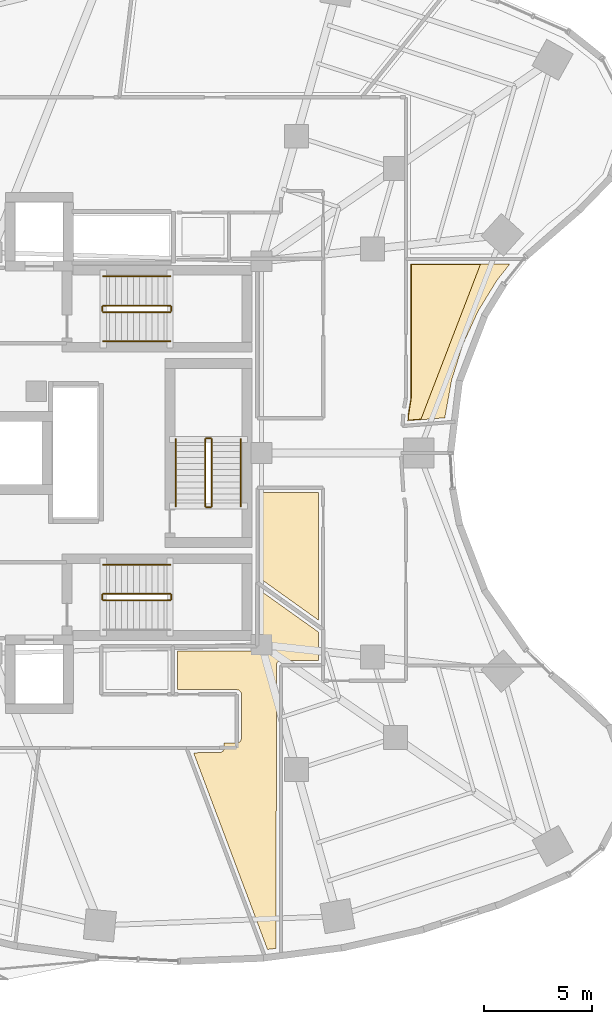
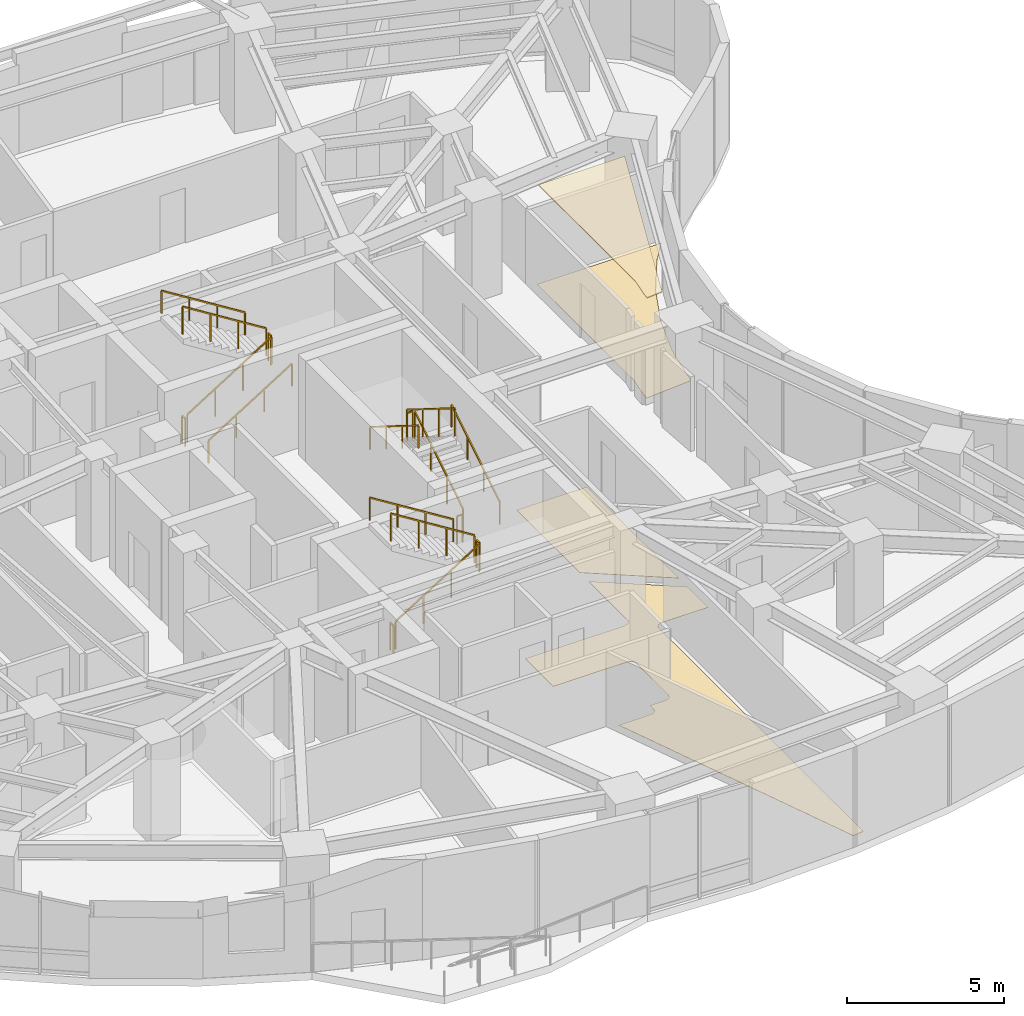
# One storey, part 15 of 16: 17 railings, 4 coverings.
"""IFC4 building model written with IfcOpenShell, lengths in metres."""

from ifc_helpers import new_model, si_unit, direction, frame, origin, origin_2d, place, context, subcontext, project, spatial, polyline, rectangle, outline, extrude, material, layer, layer_set, type_object, element, save


model = new_model("IFC4")

# Units and contexts
model_context = context("Model", 3, precision=1e-05, world=origin(), true_north=direction((0.0, 1.0)))
body_context = subcontext(model_context, "Body", "Model", "MODEL_VIEW")
ifc_project = project(units=[si_unit("LENGTHUNIT", "METRE"), si_unit("AREAUNIT", "SQUARE_METRE"), si_unit("VOLUMEUNIT", "CUBIC_METRE"), si_unit("PLANEANGLEUNIT", "RADIAN"), si_unit("MASSUNIT", "GRAM", prefix="KILO")], contexts=[model_context])

# Site, building, storey
site_placement = place(None, origin())
site = spatial("IfcSite", under=ifc_project, at=site_placement, CompositionType="ELEMENT")
building_placement = place(site_placement, origin())
building = spatial("IfcBuilding", under=site, at=building_placement, Name="Korentha Bioscience Tower", CompositionType="ELEMENT")
storey_placement = place(building_placement, frame((0.0, 0.0, 59.39990234375)))
storey = spatial("IfcBuildingStorey", under=building, at=storey_placement, Name="L13", CompositionType="ELEMENT", Elevation=59.39990234375)

# Railings
ifc_material_1 = material(Name="Stainless Steel 304", Category="steel")
railing_type_1 = type_object("IfcRailingType", Name="Brushed Stainless Stair Handrail 900", PredefinedType="HANDRAIL", material=ifc_material_1)
railing_1_placement = place(storey_placement, frame((30.25, 32.14990234375, 0.175048828125)))
element("IfcRailing", 1, at=railing_1_placement, inside=storey, type_object=railing_type_1, Name="L13 ST-1 stair handrail 1", PredefinedType="HANDRAIL", context=body_context, shape_type="SweptSolid", body=[
    extrude(rectangle(XDim=0.048095703125, YDim=0.048095703125, at=origin_2d()), frame((0.0, 0.0, 0.8759765625), z_axis=(0.847998304005, 0.0, 0.529998940003), x_axis=(0.0, 1.0, 0.0)), (0.0, 0.0, 1.0), 3.632080078125),
    extrude(rectangle(XDim=0.0419921875, YDim=0.0419921875, at=origin_2d()), origin(), (0.0, 0.0, 1.0), 0.851806640625),
    extrude(rectangle(XDim=0.0419921875, YDim=0.0419921875, at=origin_2d()), frame((1.026611328125, 0.0, 0.6416015625)), (0.0, 0.0, 1.0), 0.851806640625),
    extrude(rectangle(XDim=0.0419921875, YDim=0.0419921875, at=origin_2d()), frame((2.053466796875, 0.0, 1.283447265625)), (0.0, 0.0, 1.0), 0.851806640625),
    extrude(rectangle(XDim=0.0419921875, YDim=0.0419921875, at=origin_2d()), frame((3.080078125, 0.0, 1.925048828125)), (0.0, 0.0, 1.0), 0.851806640625),
])
for number, where, name in (
    (2, (33.330078125, 35.14990234375, 2.275146484375), "L13 ST-1 stair handrail 2"),
    (3, (33.330078125, 21.85009765625, 2.275146484375), "L13 ST-2 stair handrail 2"),
):
    element("IfcRailing", number, at=place(storey_placement, frame(where)), inside=storey, type_object=railing_type_1, Name=name, PredefinedType="HANDRAIL", context=body_context, shape_type="SweptSolid", body=[
        extrude(rectangle(XDim=0.048095703125, YDim=0.048095703125, at=origin_2d()), frame((0.0, 0.0, 0.8759765625), z_axis=(-0.847998304005, 0.0, 0.529998940003), x_axis=(0.0, -1.0, 0.0)), (0.0, 0.0, 1.0), 3.632080078125),
        extrude(rectangle(XDim=0.0419921875, YDim=0.0419921875, at=origin_2d()), origin(), (0.0, 0.0, 1.0), 0.851806640625),
        extrude(rectangle(XDim=0.0419921875, YDim=0.0419921875, at=origin_2d()), frame((-1.026611328125, 0.0, 0.6416015625)), (0.0, 0.0, 1.0), 0.851806640625),
        extrude(rectangle(XDim=0.0419921875, YDim=0.0419921875, at=origin_2d()), frame((-2.053466796875, 0.0, 1.283447265625)), (0.0, 0.0, 1.0), 0.851806640625),
        extrude(rectangle(XDim=0.0419921875, YDim=0.0419921875, at=origin_2d()), frame((-3.080078125, 0.0, 1.925048828125)), (0.0, 0.0, 1.0), 0.851806640625),
    ])
railing_2_placement = place(storey_placement, frame((36.60009765625, 24.550048828125, 0.175048828125)))
element("IfcRailing", 4, at=railing_2_placement, inside=storey, type_object=railing_type_1, Name="L13 ST-3 stair handrail 1", PredefinedType="HANDRAIL", context=body_context, shape_type="SweptSolid", body=[
    extrude(rectangle(XDim=0.048095703125, YDim=0.048095703125, at=origin_2d()), frame((0.0, 0.0, 0.8759765625), z_axis=(0.0, 0.847979421464, 0.530029150871), x_axis=(-1.0, 0.0, 0.0)), (0.0, 0.0, 1.0), 3.632080078125),
    extrude(rectangle(XDim=0.0419921875, YDim=0.0419921875, at=origin_2d()), origin(), (0.0, 0.0, 1.0), 0.851806640625),
    extrude(rectangle(XDim=0.0419921875, YDim=0.0419921875, at=origin_2d()), frame((0.0, 1.026611328125, 0.6416015625)), (0.0, 0.0, 1.0), 0.851806640625),
    extrude(rectangle(XDim=0.0419921875, YDim=0.0419921875, at=origin_2d()), frame((0.0, 2.05322265625, 1.283447265625)), (0.0, 0.0, 1.0), 0.851806640625),
    extrude(rectangle(XDim=0.0419921875, YDim=0.0419921875, at=origin_2d()), frame((0.0, 3.079833984375, 1.925048828125)), (0.0, 0.0, 1.0), 0.851806640625),
])
railing_3_placement = place(storey_placement, frame((33.60009765625, 27.6298828125, 2.275146484375)))
element("IfcRailing", 5, at=railing_3_placement, inside=storey, type_object=railing_type_1, Name="L13 ST-3 stair handrail 2", PredefinedType="HANDRAIL", context=body_context, shape_type="SweptSolid", body=[
    extrude(rectangle(XDim=0.048095703125, YDim=0.048095703125, at=origin_2d()), frame((0.0, 0.0, 0.8759765625), z_axis=(0.0, -0.847979421464, 0.530029150871), x_axis=(1.0, 0.0, 0.0)), (0.0, 0.0, 1.0), 3.632080078125),
    extrude(rectangle(XDim=0.0419921875, YDim=0.0419921875, at=origin_2d()), origin(), (0.0, 0.0, 1.0), 0.851806640625),
    extrude(rectangle(XDim=0.0419921875, YDim=0.0419921875, at=origin_2d()), frame((0.0, -1.026611328125, 0.6416015625)), (0.0, 0.0, 1.0), 0.851806640625),
    extrude(rectangle(XDim=0.0419921875, YDim=0.0419921875, at=origin_2d()), frame((0.0, -2.05322265625, 1.283447265625)), (0.0, 0.0, 1.0), 0.851806640625),
    extrude(rectangle(XDim=0.0419921875, YDim=0.0419921875, at=origin_2d()), frame((0.0, -3.079833984375, 1.925048828125)), (0.0, 0.0, 1.0), 0.851806640625),
])

# Covering
ifc_material_2 = material(Name="Antimicrobial Mineral Fibre Board", Category="gypsum")
ifc_layer_1 = layer(ifc_material_2, 0.034912109375, Name="Antimicrobial Mineral Fibre Board")
ifc_layer_set_1 = layer_set([ifc_layer_1], Name="Antimicrobial Mineral Fibre Board (CL-MF35)")
covering_type_1 = type_object("IfcCoveringType", Name="Mineral-Fibre Cleanroom Suspended Ceiling 35", PredefinedType="CEILING", material=ifc_layer_set_1)
covering_1_placement = place(storey_placement, frame((0.0, 0.0, 3.864990234375)))
element("IfcCovering", 6, at=covering_1_placement, inside=storey, type_object=covering_type_1, Name="L13 Staff Kitchenette and Dining Nook 11 Acoustic Ceiling", PredefinedType="CEILING", context=body_context, shape_type="SweptSolid", body=[
    extrude(outline(polyline([(44.339599609375, 28.763916015625), (44.4599609375, 29.529541015625), (44.4599609375, 35.697998046875), (47.64697265625, 35.697998046875), (44.906982421875, 28.56298828125), (44.32421875, 28.514892578125), (44.339599609375, 28.763916015625)])), origin(), (0.0, 0.0, 1.0), 0.03515625),
])

# Railings
ifc_material_3 = material(Name="Painted Steel S275", Category="steel")
railing_type_2 = type_object("IfcRailingType", Name="Painted Steel Stair Well Guardrail 1100", PredefinedType="GUARDRAIL", material=ifc_material_3)
railing_4_placement = place(storey_placement, frame((30.25, 33.5, 0.175048828125)))
element("IfcRailing", 7, at=railing_4_placement, inside=storey, type_object=railing_type_2, Name="L13 ST-1 stair guard 1", PredefinedType="GUARDRAIL", context=body_context, shape_type="SweptSolid", body=[
    extrude(rectangle(XDim=0.048095703125, YDim=0.048095703125, at=origin_2d()), frame((0.0, 0.0, 1.076171875), z_axis=(0.847998304005, 0.0, 0.529998940003), x_axis=(0.0, 1.0, 0.0)), (0.0, 0.0, 1.0), 3.632080078125),
    extrude(rectangle(XDim=0.0419921875, YDim=0.0419921875, at=origin_2d()), origin(), (0.0, 0.0, 1.0), 1.052001953125),
    extrude(rectangle(XDim=0.0419921875, YDim=0.0419921875, at=origin_2d()), frame((1.026611328125, 0.0, 0.6416015625)), (0.0, 0.0, 1.0), 1.052001953125),
    extrude(rectangle(XDim=0.0419921875, YDim=0.0419921875, at=origin_2d()), frame((2.053466796875, 0.0, 1.283447265625)), (0.0, 0.0, 1.0), 1.052001953125),
    extrude(rectangle(XDim=0.0419921875, YDim=0.0419921875, at=origin_2d()), frame((3.080078125, 0.0, 1.925048828125)), (0.0, 0.0, 1.0), 1.052001953125),
])
railing_5_placement = place(storey_placement, frame((33.3798828125, 33.550048828125, 2.10009765625)))
element("IfcRailing", 8, at=railing_5_placement, inside=storey, type_object=railing_type_2, Name="L13 ST-1 stair guard 2", PredefinedType="GUARDRAIL", context=body_context, shape_type="SweptSolid", body=[
    extrude(rectangle(XDim=0.048095703125, YDim=0.048095703125, at=origin_2d()), frame((0.0, 0.0, 1.076171875), z_axis=(0.0, 1.0, 0.0), x_axis=(-1.0, 0.0, 0.0)), (0.0, 0.0, 1.0), 0.199951171875),
    extrude(rectangle(XDim=0.0419921875, YDim=0.0419921875, at=origin_2d()), origin(), (0.0, 0.0, 1.0), 1.052001953125),
    extrude(rectangle(XDim=0.0419921875, YDim=0.0419921875, at=origin_2d()), frame((0.0, 0.199951171875, 0.0)), (0.0, 0.0, 1.0), 1.052001953125),
])
railing_6_placement = place(storey_placement, frame((33.330078125, 33.800048828125, 2.275146484375)))
element("IfcRailing", 9, at=railing_6_placement, inside=storey, type_object=railing_type_2, Name="L13 ST-1 stair guard 3", PredefinedType="GUARDRAIL", context=body_context, shape_type="SweptSolid", body=[
    extrude(rectangle(XDim=0.048095703125, YDim=0.048095703125, at=origin_2d()), frame((0.0, 0.0, 1.076171875), z_axis=(-0.847998304005, 0.0, 0.529998940003), x_axis=(0.0, -1.0, 0.0)), (0.0, 0.0, 1.0), 3.632080078125),
    extrude(rectangle(XDim=0.0419921875, YDim=0.0419921875, at=origin_2d()), origin(), (0.0, 0.0, 1.0), 1.052001953125),
    extrude(rectangle(XDim=0.0419921875, YDim=0.0419921875, at=origin_2d()), frame((-1.026611328125, 0.0, 0.6416015625)), (0.0, 0.0, 1.0), 1.052001953125),
    extrude(rectangle(XDim=0.0419921875, YDim=0.0419921875, at=origin_2d()), frame((-2.053466796875, 0.0, 1.283447265625)), (0.0, 0.0, 1.0), 1.052001953125),
    extrude(rectangle(XDim=0.0419921875, YDim=0.0419921875, at=origin_2d()), frame((-3.080078125, 0.0, 1.925048828125)), (0.0, 0.0, 1.0), 1.052001953125),
])
railing_7_placement = place(storey_placement, frame((30.199951171875, 33.550048828125, 0.0)))
element("IfcRailing", 10, at=railing_7_placement, inside=storey, type_object=railing_type_2, Name="L13 ST-1 stair guard 4", PredefinedType="GUARDRAIL", context=body_context, shape_type="SweptSolid", body=[
    extrude(rectangle(XDim=0.048095703125, YDim=0.048095703125, at=origin_2d()), frame((0.0, 0.0, 1.076171875), z_axis=(0.0, 1.0, 0.0), x_axis=(-1.0, 0.0, 0.0)), (0.0, 0.0, 1.0), 0.199951171875),
    extrude(rectangle(XDim=0.0419921875, YDim=0.0419921875, at=origin_2d()), origin(), (0.0, 0.0, 1.0), 1.052001953125),
    extrude(rectangle(XDim=0.0419921875, YDim=0.0419921875, at=origin_2d()), frame((0.0, 0.199951171875, 0.0)), (0.0, 0.0, 1.0), 1.052001953125),
])
railing_8_placement = place(storey_placement, frame((30.25, 20.199951171875, 0.175048828125)))
element("IfcRailing", 11, at=railing_8_placement, inside=storey, type_object=railing_type_2, Name="L13 ST-2 stair guard 1", PredefinedType="GUARDRAIL", context=body_context, shape_type="SweptSolid", body=[
    extrude(rectangle(XDim=0.048095703125, YDim=0.048095703125, at=origin_2d()), frame((0.0, 0.0, 1.076171875), z_axis=(0.847998304005, 0.0, 0.529998940003), x_axis=(0.0, 1.0, 0.0)), (0.0, 0.0, 1.0), 3.632080078125),
    extrude(rectangle(XDim=0.0419921875, YDim=0.0419921875, at=origin_2d()), origin(), (0.0, 0.0, 1.0), 1.052001953125),
    extrude(rectangle(XDim=0.0419921875, YDim=0.0419921875, at=origin_2d()), frame((1.026611328125, 0.0, 0.6416015625)), (0.0, 0.0, 1.0), 1.052001953125),
    extrude(rectangle(XDim=0.0419921875, YDim=0.0419921875, at=origin_2d()), frame((2.053466796875, 0.0, 1.283447265625)), (0.0, 0.0, 1.0), 1.052001953125),
    extrude(rectangle(XDim=0.0419921875, YDim=0.0419921875, at=origin_2d()), frame((3.080078125, 0.0, 1.925048828125)), (0.0, 0.0, 1.0), 1.052001953125),
])
railing_9_placement = place(storey_placement, frame((33.3798828125, 20.25, 2.10009765625)))
element("IfcRailing", 12, at=railing_9_placement, inside=storey, type_object=railing_type_2, Name="L13 ST-2 stair guard 2", PredefinedType="GUARDRAIL", context=body_context, shape_type="SweptSolid", body=[
    extrude(rectangle(XDim=0.048095703125, YDim=0.048095703125, at=origin_2d()), frame((0.0, 0.0, 1.076171875), z_axis=(0.0, 1.0, 0.0), x_axis=(-1.0, 0.0, 0.0)), (0.0, 0.0, 1.0), 0.199951171875),
    extrude(rectangle(XDim=0.0419921875, YDim=0.0419921875, at=origin_2d()), origin(), (0.0, 0.0, 1.0), 1.052001953125),
    extrude(rectangle(XDim=0.0419921875, YDim=0.0419921875, at=origin_2d()), frame((0.0, 0.199951171875, 0.0)), (0.0, 0.0, 1.0), 1.052001953125),
])
railing_10_placement = place(storey_placement, frame((33.330078125, 20.5, 2.275146484375)))
element("IfcRailing", 13, at=railing_10_placement, inside=storey, type_object=railing_type_2, Name="L13 ST-2 stair guard 3", PredefinedType="GUARDRAIL", context=body_context, shape_type="SweptSolid", body=[
    extrude(rectangle(XDim=0.048095703125, YDim=0.048095703125, at=origin_2d()), frame((0.0, 0.0, 1.076171875), z_axis=(-0.847998304005, 0.0, 0.529998940003), x_axis=(0.0, -1.0, 0.0)), (0.0, 0.0, 1.0), 3.632080078125),
    extrude(rectangle(XDim=0.0419921875, YDim=0.0419921875, at=origin_2d()), origin(), (0.0, 0.0, 1.0), 1.052001953125),
    extrude(rectangle(XDim=0.0419921875, YDim=0.0419921875, at=origin_2d()), frame((-1.026611328125, 0.0, 0.6416015625)), (0.0, 0.0, 1.0), 1.052001953125),
    extrude(rectangle(XDim=0.0419921875, YDim=0.0419921875, at=origin_2d()), frame((-2.053466796875, 0.0, 1.283447265625)), (0.0, 0.0, 1.0), 1.052001953125),
    extrude(rectangle(XDim=0.0419921875, YDim=0.0419921875, at=origin_2d()), frame((-3.080078125, 0.0, 1.925048828125)), (0.0, 0.0, 1.0), 1.052001953125),
])
railing_11_placement = place(storey_placement, frame((30.199951171875, 20.25, 0.0)))
element("IfcRailing", 14, at=railing_11_placement, inside=storey, type_object=railing_type_2, Name="L13 ST-2 stair guard 4", PredefinedType="GUARDRAIL", context=body_context, shape_type="SweptSolid", body=[
    extrude(rectangle(XDim=0.048095703125, YDim=0.048095703125, at=origin_2d()), frame((0.0, 0.0, 1.076171875), z_axis=(0.0, 1.0, 0.0), x_axis=(-1.0, 0.0, 0.0)), (0.0, 0.0, 1.0), 0.199951171875),
    extrude(rectangle(XDim=0.0419921875, YDim=0.0419921875, at=origin_2d()), origin(), (0.0, 0.0, 1.0), 1.052001953125),
    extrude(rectangle(XDim=0.0419921875, YDim=0.0419921875, at=origin_2d()), frame((0.0, 0.199951171875, 0.0)), (0.0, 0.0, 1.0), 1.052001953125),
])
railing_12_placement = place(storey_placement, frame((35.25, 24.550048828125, 0.175048828125)))
element("IfcRailing", 15, at=railing_12_placement, inside=storey, type_object=railing_type_2, Name="L13 ST-3 stair guard 1", PredefinedType="GUARDRAIL", context=body_context, shape_type="SweptSolid", body=[
    extrude(rectangle(XDim=0.048095703125, YDim=0.048095703125, at=origin_2d()), frame((0.0, 0.0, 1.076171875), z_axis=(0.0, 0.847979421464, 0.530029150871), x_axis=(-1.0, 0.0, 0.0)), (0.0, 0.0, 1.0), 3.632080078125),
    extrude(rectangle(XDim=0.0419921875, YDim=0.0419921875, at=origin_2d()), origin(), (0.0, 0.0, 1.0), 1.052001953125),
    extrude(rectangle(XDim=0.0419921875, YDim=0.0419921875, at=origin_2d()), frame((0.0, 1.026611328125, 0.6416015625)), (0.0, 0.0, 1.0), 1.052001953125),
    extrude(rectangle(XDim=0.0419921875, YDim=0.0419921875, at=origin_2d()), frame((0.0, 2.05322265625, 1.283447265625)), (0.0, 0.0, 1.0), 1.052001953125),
    extrude(rectangle(XDim=0.0419921875, YDim=0.0419921875, at=origin_2d()), frame((0.0, 3.079833984375, 1.925048828125)), (0.0, 0.0, 1.0), 1.052001953125),
])
railing_13_placement = place(storey_placement, frame((35.199951171875, 27.679931640625, 2.10009765625)))
element("IfcRailing", 16, at=railing_13_placement, inside=storey, type_object=railing_type_2, Name="L13 ST-3 stair guard 2", PredefinedType="GUARDRAIL", context=body_context, shape_type="SweptSolid", body=[
    extrude(rectangle(XDim=0.048095703125, YDim=0.048095703125, at=origin_2d()), frame((0.0, 0.0, 1.076171875), z_axis=(-1.0, 0.0, 0.0), x_axis=(0.0, -1.0, 0.0)), (0.0, 0.0, 1.0), 0.199951171875),
    extrude(rectangle(XDim=0.0419921875, YDim=0.0419921875, at=origin_2d()), origin(), (0.0, 0.0, 1.0), 1.052001953125),
    extrude(rectangle(XDim=0.0419921875, YDim=0.0419921875, at=origin_2d()), frame((-0.199951171875, 0.0, 0.0)), (0.0, 0.0, 1.0), 1.052001953125),
])
railing_14_placement = place(storey_placement, frame((34.949951171875, 27.6298828125, 2.275146484375)))
element("IfcRailing", 17, at=railing_14_placement, inside=storey, type_object=railing_type_2, Name="L13 ST-3 stair guard 3", PredefinedType="GUARDRAIL", context=body_context, shape_type="SweptSolid", body=[
    extrude(rectangle(XDim=0.048095703125, YDim=0.048095703125, at=origin_2d()), frame((0.0, 0.0, 1.076171875), z_axis=(0.0, -0.847979421464, 0.530029150871), x_axis=(1.0, 0.0, 0.0)), (0.0, 0.0, 1.0), 3.632080078125),
    extrude(rectangle(XDim=0.0419921875, YDim=0.0419921875, at=origin_2d()), origin(), (0.0, 0.0, 1.0), 1.052001953125),
    extrude(rectangle(XDim=0.0419921875, YDim=0.0419921875, at=origin_2d()), frame((0.0, -1.026611328125, 0.6416015625)), (0.0, 0.0, 1.0), 1.052001953125),
    extrude(rectangle(XDim=0.0419921875, YDim=0.0419921875, at=origin_2d()), frame((0.0, -2.05322265625, 1.283447265625)), (0.0, 0.0, 1.0), 1.052001953125),
    extrude(rectangle(XDim=0.0419921875, YDim=0.0419921875, at=origin_2d()), frame((0.0, -3.079833984375, 1.925048828125)), (0.0, 0.0, 1.0), 1.052001953125),
])
railing_15_placement = place(storey_placement, frame((35.199951171875, 24.5, 0.0)))
element("IfcRailing", 18, at=railing_15_placement, inside=storey, type_object=railing_type_2, Name="L13 ST-3 stair guard 4", PredefinedType="GUARDRAIL", context=body_context, shape_type="SweptSolid", body=[
    extrude(rectangle(XDim=0.048095703125, YDim=0.048095703125, at=origin_2d()), frame((0.0, 0.0, 1.076171875), z_axis=(-1.0, 0.0, 0.0), x_axis=(0.0, -1.0, 0.0)), (0.0, 0.0, 1.0), 0.199951171875),
    extrude(rectangle(XDim=0.0419921875, YDim=0.0419921875, at=origin_2d()), origin(), (0.0, 0.0, 1.0), 1.052001953125),
    extrude(rectangle(XDim=0.0419921875, YDim=0.0419921875, at=origin_2d()), frame((-0.199951171875, 0.0, 0.0)), (0.0, 0.0, 1.0), 1.052001953125),
])

# Coverings
ifc_material_4 = material(Name="Chemical-Resistant Epoxy Resin", Category="polymer")
ifc_layer_2 = layer(ifc_material_4, 0.011962890625, Name="Chemical-Resistant Epoxy Resin")
ifc_layer_set_2 = layer_set([ifc_layer_2], Name="Chemical-Resistant Epoxy Resin (FL-EPX)")
covering_type_2 = type_object("IfcCoveringType", Name="Seamless Epoxy Laboratory Flooring 12", PredefinedType="FLOORING", material=ifc_layer_set_2)
covering_2_placement = place(storey_placement, origin())
element("IfcCovering", 19, at=covering_2_placement, inside=storey, type_object=covering_type_2, Name="L13 Ultrapure Water Polisher Plant Alcove 07 Floor Finish", PredefinedType="FLOORING", context=body_context, shape_type="SweptSolid", body=[
    extrude(outline(polyline([(34.41552734375, 13.169921875), (35.655517578125, 13.1767578125), (35.754150390625, 13.229248046875), (35.81640625, 13.322021484375), (35.830078125, 13.6201171875), (36.433349609375, 13.622314453125), (36.517822265625, 13.652587890625), (36.58447265625, 13.712646484375), (36.6298828125, 13.85009765625), (36.62744140625, 15.88427734375), (36.597412109375, 15.9677734375), (36.55419921875, 16.020751953125), (36.497802734375, 16.05810546875), (36.411865234375, 16.07958984375), (33.679931640625, 16.080078125), (33.679931640625, 17.8701171875), (37.35009765625, 17.8701171875), (37.486572265625, 17.9150390625), (37.5576171875, 18.001220703125), (37.57958984375, 18.089111328125), (37.580078125, 20.58837890625), (40.169921875, 18.740966796875), (40.169921875, 17.422119140625), (38.42431640625, 17.42041015625), (38.3037109375, 17.36572265625), (38.250244140625, 17.29541015625), (38.23046875, 17.231201171875), (38.22802734375, 4.148681640625), (37.825927734375, 4.0966796875), (34.41552734375, 13.169921875)])), origin(), (0.0, 0.0, 1.0), 0.01220703125),
])
covering_3_placement = place(storey_placement, origin())
element("IfcCovering", 20, at=covering_3_placement, inside=storey, type_object=covering_type_2, Name="L13 Data Visualization Collaboration Hub 09 Floor Finish", PredefinedType="FLOORING", context=body_context, shape_type="SweptSolid", body=[
    extrude(outline(polyline([(40.169921875, 19.293701171875), (37.585693359375, 21.13720703125), (37.580322265625, 25.169921875), (40.169921875, 25.169921875), (40.169921875, 19.293701171875)])), origin(), (0.0, 0.0, 1.0), 0.01220703125),
])
covering_4_placement = place(storey_placement, origin())
element("IfcCovering", 21, at=covering_4_placement, inside=storey, type_object=covering_type_2, Name="L13 Staff Kitchenette and Dining Nook 11 Floor Finish", PredefinedType="FLOORING", context=body_context, shape_type="SweptSolid", body=[
    extrude(outline(polyline([(46.83984375, 32.0126953125), (46.314208984375, 30.344970703125), (46.00390625, 28.623046875), (44.292236328125, 28.482177734375), (44.324462890625, 28.918212890625), (44.429931640625, 29.529541015625), (44.429931640625, 35.72802734375), (49.01220703125, 35.72802734375), (48.410400390625, 34.966552734375), (47.544189453125, 33.552490234375), (46.83984375, 32.0126953125)])), origin(), (0.0, 0.0, 1.0), 0.01220703125),
])

save(model, "model.ifc")
